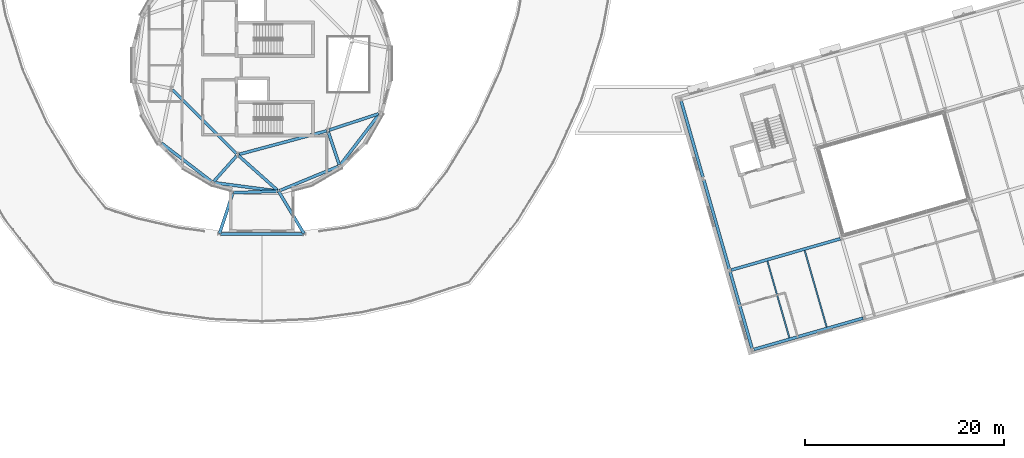
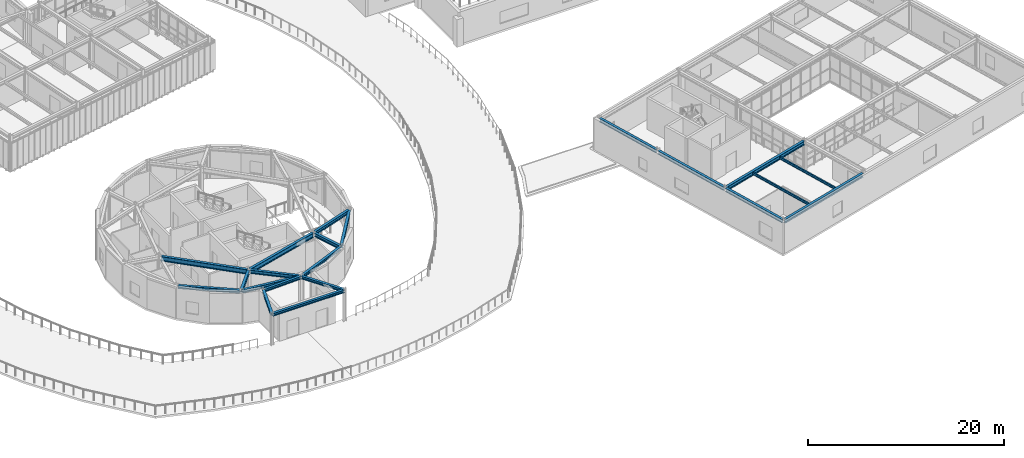
# One storey, part 17 of 59: 21 beams.
"""IFC4 building model written with IfcOpenShell, lengths in metres."""

from ifc_helpers import new_model, si_unit, direction, frame, origin, origin_2d, place, context, subcontext, project, spatial, i_section, extrude, material, material_profile, profile_set, type_object, element, save


model = new_model("IFC4")

# Units and contexts
model_context = context("Model", 3, precision=1e-05, world=origin(), true_north=direction((0.0, 1.0)))
body_context = subcontext(model_context, "Body", "Model", "MODEL_VIEW")
ifc_project = project(units=[si_unit("LENGTHUNIT", "METRE"), si_unit("AREAUNIT", "SQUARE_METRE"), si_unit("VOLUMEUNIT", "CUBIC_METRE"), si_unit("PLANEANGLEUNIT", "RADIAN"), si_unit("MASSUNIT", "GRAM", prefix="KILO")], contexts=[model_context])

# Site, building, storey
site_placement = place(None, origin())
site = spatial("IfcSite", under=ifc_project, at=site_placement, CompositionType="ELEMENT")
building_placement = place(site_placement, origin())
building = spatial("IfcBuilding", under=site, at=building_placement, Name="Varnklinge Art Gallery", CompositionType="ELEMENT")
storey_placement = place(building_placement, frame((0.0, 0.0, 9.52001953125)))
storey = spatial("IfcBuildingStorey", under=building, at=storey_placement, Name="L02", CompositionType="ELEMENT", Elevation=9.52001953125)

# Beams
ifc_material_1 = material(Name="Steel S355", Category="steel")
ifc_material_profile_1 = material_profile(ifc_material_1, i_section(OverallWidth=0.300048828125, OverallDepth=0.590087890625, WebThickness=0.012939453125, FlangeThickness=0.02490234375, FilletRadius=0.027099609375, at=origin_2d()), Name="HEA 600")
ifc_profile_set_1 = profile_set([ifc_material_profile_1], Name="Steel S355")
beam_type_1 = type_object("IfcBeamType", Name="BM-06", PredefinedType="BEAM", material=ifc_profile_set_1)
beam_1_placement = place(storey_placement, frame((66.519287109375, 35.968017578125, 3.6650390625), z_axis=(0.707106781187, -0.707106781187, 0.0), x_axis=(0.707106781187, 0.707106781187, 0.0)))
element("IfcBeam", 1, at=beam_1_placement, inside=storey, type_object=beam_type_1, Name="L02 BM-06 BM-V4D-L03-I4", PredefinedType="BEAM", context=body_context, shape_type="SweptSolid", body=[
    extrude(i_section(OverallWidth=0.300048828125, OverallDepth=0.590087890625, WebThickness=0.012939453125, FlangeThickness=0.02490234375, FilletRadius=0.027099609375, at=origin_2d()), origin(), (0.0, 0.0, 1.0), 9.119873046875),
])
beam_2_placement = place(storey_placement, frame((73.202392578125, 29.45654296875, 3.6650390625), z_axis=(0.965928574877, 0.258808787016, 0.0), x_axis=(-0.258808787016, 0.965928574877, 0.0)))
element("IfcBeam", 2, at=beam_2_placement, inside=storey, type_object=beam_type_1, Name="L02 BM-06 BM-V4D-L03-I5", PredefinedType="BEAM", context=body_context, shape_type="SweptSolid", body=[
    extrude(i_section(OverallWidth=0.300048828125, OverallDepth=0.590087890625, WebThickness=0.012939453125, FlangeThickness=0.02490234375, FilletRadius=0.027099609375, at=origin_2d()), origin(), (0.0, 0.0, 1.0), 9.1201171875),
])
ifc_material_2 = material(Name="Steel S355", Category="steel")
ifc_material_profile_2 = material_profile(ifc_material_2, i_section(OverallWidth=0.300048828125, OverallDepth=0.489990234375, WebThickness=0.011962890625, FlangeThickness=0.02294921875, FilletRadius=0.027099609375, at=origin_2d()), Name="HEA 500")
ifc_profile_set_2 = profile_set([ifc_material_profile_2], Name="Steel S355")
beam_type_2 = type_object("IfcBeamType", Name="BM-07", PredefinedType="BEAM", material=ifc_profile_set_2)
for number, where, z_axis, x_axis, name in (
    (3, (124.962158203125, 9.8466796875, 3.675048828125), (0.961262939416, 0.275633019257, 0.0), (-0.275633019257, 0.961262939416, 0.0), "L02 BM-07 BM-V6-L03-U0-0"),
    (4, (122.67431640625, 17.8251953125, 3.675048828125), (0.961262939416, 0.275633019257, 0.0), (-0.275633019257, 0.961262939416, 0.0), "L02 BM-07 BM-V6-L03-U1-0"),
):
    element("IfcBeam", number, at=place(storey_placement, frame(where, z_axis=z_axis, x_axis=x_axis)), inside=storey, type_object=beam_type_2, Name=name, PredefinedType="BEAM", context=body_context, shape_type="SweptSolid", body=[
        extrude(i_section(OverallWidth=0.300048828125, OverallDepth=0.489990234375, WebThickness=0.011962890625, FlangeThickness=0.02294921875, FilletRadius=0.027099609375, at=origin_2d()), origin(), (0.0, 0.0, 1.0), 11.419921875),
    ])
ifc_material_3 = material(Name="Steel S355", Category="steel")
ifc_material_profile_3 = material_profile(ifc_material_3, i_section(OverallWidth=0.300048828125, OverallDepth=0.43994140625, WebThickness=0.011474609375, FlangeThickness=0.02099609375, FilletRadius=0.027099609375, at=origin_2d()), Name="HEA 450")
ifc_profile_set_3 = profile_set([ifc_material_profile_3], Name="Steel S355")
beam_type_3 = type_object("IfcBeamType", Name="BM-08", PredefinedType="BEAM", material=ifc_profile_set_3)
beam_3_placement = place(storey_placement, frame((72.97412109375, 29.315673828125, 3.739990234375), z_axis=(-0.664780083084, -0.747039116201, 0.0), x_axis=(0.747039116201, -0.664780083084, 0.0)))
element("IfcBeam", 5, at=beam_3_placement, inside=storey, type_object=beam_type_3, Name="L02 BM-08 BM-V4D-L03-R09", PredefinedType="BEAM", context=body_context, shape_type="SweptSolid", body=[
    extrude(i_section(OverallWidth=0.300048828125, OverallDepth=0.43994140625, WebThickness=0.011474609375, FlangeThickness=0.02099609375, FilletRadius=0.027099609375, at=origin_2d()), origin(), (0.0, 0.0, 1.0), 3.457763671875),
])
beam_4_placement = place(storey_placement, frame((73.171630859375, 29.3271484375, 3.739990234375), z_axis=(0.746795307155, -0.665053959623, 0.0), x_axis=(0.665053959623, 0.746795307155, 0.0)))
element("IfcBeam", 6, at=beam_4_placement, inside=storey, type_object=beam_type_3, Name="L02 BM-08 BM-V4D-L03-R10", PredefinedType="BEAM", context=body_context, shape_type="SweptSolid", body=[
    extrude(i_section(OverallWidth=0.300048828125, OverallDepth=0.43994140625, WebThickness=0.011474609375, FlangeThickness=0.02099609375, FilletRadius=0.027099609375, at=origin_2d()), origin(), (0.0, 0.0, 1.0), 5.223876953125),
])
beam_5_placement = place(storey_placement, frame((82.19091796875, 31.72021484375, 3.739990234375), z_axis=(0.314574973389, -0.949232630137, 0.0), x_axis=(0.949232630137, 0.314574973389, 0.0)))
element("IfcBeam", 7, at=beam_5_placement, inside=storey, type_object=beam_type_3, Name="L02 BM-08 BM-V4D-L03-R11", PredefinedType="BEAM", context=body_context, shape_type="SweptSolid", body=[
    extrude(i_section(OverallWidth=0.300048828125, OverallDepth=0.43994140625, WebThickness=0.011474609375, FlangeThickness=0.02099609375, FilletRadius=0.027099609375, at=origin_2d()), origin(), (0.0, 0.0, 1.0), 3.45751953125),
])
beam_6_placement = place(storey_placement, frame((82.27978515625, 31.897216796875, 3.739990234375), z_axis=(0.949354152102, 0.314208042366, 0.0), x_axis=(-0.314208042366, 0.949354152102, 0.0)))
element("IfcBeam", 8, at=beam_6_placement, inside=storey, type_object=beam_type_3, Name="L02 BM-08 BM-V4D-L03-R12", PredefinedType="BEAM", context=body_context, shape_type="SweptSolid", body=[
    extrude(i_section(OverallWidth=0.300048828125, OverallDepth=0.43994140625, WebThickness=0.011474609375, FlangeThickness=0.02099609375, FilletRadius=0.027099609375, at=origin_2d()), origin(), (0.0, 0.0, 1.0), 5.223876953125),
])
beam_7_placement = place(storey_placement, frame((124.788818359375, 9.94287109375, 3.699951171875), z_axis=(-0.275621630307, 0.961266205016, 0.0), x_axis=(-0.961266205016, -0.275621630307, 0.0)))
element("IfcBeam", 9, at=beam_7_placement, inside=storey, type_object=beam_type_3, Name="L02 BM-08 BM-V6-L03-V0-0", PredefinedType="BEAM", context=body_context, shape_type="SweptSolid", body=[
    extrude(i_section(OverallWidth=0.300048828125, OverallDepth=0.43994140625, WebThickness=0.011474609375, FlangeThickness=0.02099609375, FilletRadius=0.027099609375, at=origin_2d()), origin(), (0.0, 0.0, 1.0), 8.019775390625),
])
beam_8_placement = place(storey_placement, frame((122.501220703125, 17.92138671875, 3.699951171875), z_axis=(-0.275658609922, 0.961255601168, 0.0), x_axis=(-0.961255601168, -0.275658609922, 0.0)))
element("IfcBeam", 10, at=beam_8_placement, inside=storey, type_object=beam_type_3, Name="L02 BM-08 BM-V6-L03-V0-1", PredefinedType="BEAM", context=body_context, shape_type="SweptSolid", body=[
    extrude(i_section(OverallWidth=0.300048828125, OverallDepth=0.43994140625, WebThickness=0.011474609375, FlangeThickness=0.02099609375, FilletRadius=0.027099609375, at=origin_2d()), origin(), (0.0, 0.0, 1.0), 9.31982421875),
])
beam_9_placement = place(storey_placement, frame((119.85498046875, 27.1494140625, 3.699951171875), z_axis=(-0.275649759333, 0.961258139201, 0.0), x_axis=(-0.961258139201, -0.275649759333, 0.0)))
element("IfcBeam", 11, at=beam_9_placement, inside=storey, type_object=beam_type_3, Name="L02 BM-08 BM-V6-L03-V0-2", PredefinedType="BEAM", context=body_context, shape_type="SweptSolid", body=[
    extrude(i_section(OverallWidth=0.300048828125, OverallDepth=0.43994140625, WebThickness=0.011474609375, FlangeThickness=0.02099609375, FilletRadius=0.027099609375, at=origin_2d()), origin(), (0.0, 0.0, 1.0), 8.02001953125),
])
ifc_material_4 = material(Name="Steel S355", Category="steel")
ifc_material_profile_4 = material_profile(ifc_material_4, i_section(OverallWidth=0.300048828125, OverallDepth=0.35009765625, WebThickness=0.010009765625, FlangeThickness=0.017578125, FilletRadius=0.027099609375, at=origin_2d()), Name="HEA 360")
ifc_profile_set_4 = profile_set([ifc_material_profile_4], Name="Steel S355")
beam_type_4 = type_object("IfcBeamType", Name="BM-10", PredefinedType="BEAM", material=ifc_profile_set_4)
beam_10_placement = place(storey_placement, frame((71.290771484375, 21.44580078125, 3.784912109375), z_axis=(1.0, 0.0, 0.0), x_axis=(0.0, 1.0, 0.0)))
element("IfcBeam", 12, at=beam_10_placement, inside=storey, type_object=beam_type_4, Name="L02 BM-10 BM-LNK-V4S-ROOF-1", PredefinedType="BEAM", context=body_context, shape_type="SweptSolid", body=[
    extrude(i_section(OverallWidth=0.300048828125, OverallDepth=0.35009765625, WebThickness=0.010009765625, FlangeThickness=0.017578125, FilletRadius=0.027099609375, at=origin_2d()), origin(), (0.0, 0.0, 1.0), 8.41845703125),
])
beam_11_placement = place(storey_placement, frame((79.73828125, 21.497314453125, 3.784912109375), z_axis=(-0.514992622246, 0.857194609778, 0.0), x_axis=(-0.857194609778, -0.514992622246, 0.0)))
element("IfcBeam", 13, at=beam_11_placement, inside=storey, type_object=beam_type_4, Name="L02 BM-10 BM-LNK-V4S-ROOF-2", PredefinedType="BEAM", context=body_context, shape_type="SweptSolid", body=[
    extrude(i_section(OverallWidth=0.300048828125, OverallDepth=0.35009765625, WebThickness=0.010009765625, FlangeThickness=0.017578125, FilletRadius=0.027099609375, at=origin_2d()), origin(), (0.0, 0.0, 1.0), 4.912841796875),
])
beam_12_placement = place(storey_placement, frame((77.1171875, 25.7578125, 3.784912109375), z_axis=(-0.999389964671, -0.034924182366, 0.0), x_axis=(0.034924182366, -0.999389964671, 0.0)))
element("IfcBeam", 14, at=beam_12_placement, inside=storey, type_object=beam_type_4, Name="L02 BM-10 BM-LNK-V4S-ROOF-3", PredefinedType="BEAM", context=body_context, shape_type="SweptSolid", body=[
    extrude(i_section(OverallWidth=0.300048828125, OverallDepth=0.35009765625, WebThickness=0.010009765625, FlangeThickness=0.017578125, FilletRadius=0.027099609375, at=origin_2d()), origin(), (0.0, 0.0, 1.0), 4.4599609375),
])
beam_13_placement = place(storey_placement, frame((72.581298828125, 25.54296875, 3.784912109375), z_axis=(-0.313075182733, -0.949728345348, 0.0), x_axis=(0.949728345348, -0.313075182733, 0.0)))
element("IfcBeam", 15, at=beam_13_placement, inside=storey, type_object=beam_type_4, Name="L02 BM-10 BM-LNK-V4S-ROOF-4", PredefinedType="BEAM", context=body_context, shape_type="SweptSolid", body=[
    extrude(i_section(OverallWidth=0.300048828125, OverallDepth=0.35009765625, WebThickness=0.010009765625, FlangeThickness=0.017578125, FilletRadius=0.027099609375, at=origin_2d()), origin(), (0.0, 0.0, 1.0), 4.25390625),
])
ifc_material_5 = material(Name="Steel S355", Category="steel")
ifc_material_profile_5 = material_profile(ifc_material_5, i_section(OverallWidth=0.14990234375, OverallDepth=0.300048828125, WebThickness=0.007080078125, FlangeThickness=0.0107421875, FilletRadius=0.014892578125, at=origin_2d()), Name="IPE 300")
ifc_profile_set_5 = profile_set([ifc_material_profile_5], Name="Steel S355")
beam_type_5 = type_object("IfcBeamType", Name="JST-08", PredefinedType="JOIST", material=ifc_profile_set_5)
beam_14_placement = place(storey_placement, frame((128.537841796875, 11.017578125, 3.77001953125), z_axis=(-0.2756416934, 0.961260452146, 0.0), x_axis=(-0.961260452146, -0.2756416934, 0.0)))
element("IfcBeam", 16, at=beam_14_placement, inside=storey, type_object=beam_type_5, Name="L02 JST-08 JST-V6-L03-0-0-1", PredefinedType="JOIST", context=body_context, shape_type="SweptSolid", body=[
    extrude(i_section(OverallWidth=0.14990234375, OverallDepth=0.300048828125, WebThickness=0.007080078125, FlangeThickness=0.0107421875, FilletRadius=0.014892578125, at=origin_2d()), origin(), (0.0, 0.0, 1.0), 8.020263671875),
])
beam_15_placement = place(storey_placement, frame((132.286865234375, 12.0927734375, 3.77001953125), z_axis=(-0.275649759333, 0.961258139201, 0.0), x_axis=(-0.961258139201, -0.275649759333, 0.0)))
element("IfcBeam", 17, at=beam_15_placement, inside=storey, type_object=beam_type_5, Name="L02 JST-08 JST-V6-L03-0-0-2", PredefinedType="JOIST", context=body_context, shape_type="SweptSolid", body=[
    extrude(i_section(OverallWidth=0.14990234375, OverallDepth=0.300048828125, WebThickness=0.007080078125, FlangeThickness=0.0107421875, FilletRadius=0.014892578125, at=origin_2d()), origin(), (0.0, 0.0, 1.0), 8.02001953125),
])
ifc_material_6 = material(Name="Steel S355", Category="steel")
ifc_material_profile_6 = material_profile(ifc_material_6, i_section(OverallWidth=0.300048828125, OverallDepth=0.389892578125, WebThickness=0.010986328125, FlangeThickness=0.01904296875, FilletRadius=0.027099609375, at=origin_2d()), Name="HEA 400")
ifc_profile_set_6 = profile_set([ifc_material_profile_6], Name="Steel S355")
beam_type_6 = type_object("IfcBeamType", Name="SPB-03", PredefinedType="SPANDREL", material=ifc_profile_set_6)
beam_16_placement = place(storey_placement, frame((65.41650390625, 30.59228515625, 3.764892578125), z_axis=(0.793344185287, -0.608773359857, 0.0), x_axis=(0.608773359857, 0.793344185287, 0.0)))
element("IfcBeam", 18, at=beam_16_placement, inside=storey, type_object=beam_type_6, Name="L02 SPB-03 BM-V4D-L03-P08", PredefinedType="SPANDREL", context=body_context, shape_type="SweptSolid", body=[
    extrude(i_section(OverallWidth=0.300048828125, OverallDepth=0.389892578125, WebThickness=0.010986328125, FlangeThickness=0.01904296875, FilletRadius=0.027099609375, at=origin_2d()), origin(), (0.0, 0.0, 1.0), 6.37158203125),
])
beam_17_placement = place(storey_placement, frame((70.72119140625, 26.60986328125, 3.764892578125), z_axis=(0.991448034575, -0.130502087099, 0.0), x_axis=(0.130502087099, 0.991448034575, 0.0)))
element("IfcBeam", 19, at=beam_17_placement, inside=storey, type_object=beam_type_6, Name="L02 SPB-03 BM-V4D-L03-P09", PredefinedType="SPANDREL", context=body_context, shape_type="SweptSolid", body=[
    extrude(i_section(OverallWidth=0.300048828125, OverallDepth=0.389892578125, WebThickness=0.010986328125, FlangeThickness=0.01904296875, FilletRadius=0.027099609375, at=origin_2d()), origin(), (0.0, 0.0, 1.0), 6.371826171875),
])
for number, where, z_axis, x_axis, name in (
    (20, (77.306640625, 25.8134765625, 3.764892578125), (0.923886541746, 0.382666510137, 0.0), (-0.382666510137, 0.923886541746, 0.0), "L02 SPB-03 BM-V4D-L03-P10"),
    (21, (83.40771484375, 28.41650390625, 3.764892578125), (0.608773359857, 0.793344185287, 0.0), (-0.793344185287, 0.608773359857, 0.0), "L02 SPB-03 BM-V4D-L03-P11"),
):
    element("IfcBeam", number, at=place(storey_placement, frame(where, z_axis=z_axis, x_axis=x_axis)), inside=storey, type_object=beam_type_6, Name=name, PredefinedType="SPANDREL", context=body_context, shape_type="SweptSolid", body=[
        extrude(i_section(OverallWidth=0.300048828125, OverallDepth=0.389892578125, WebThickness=0.010986328125, FlangeThickness=0.01904296875, FilletRadius=0.027099609375, at=origin_2d()), origin(), (0.0, 0.0, 1.0), 6.37158203125),
    ])

save(model, "model.ifc")
